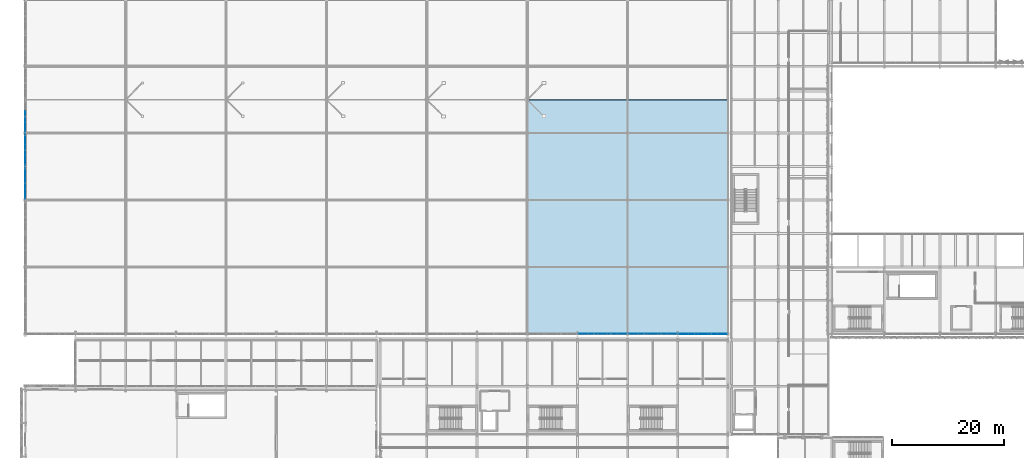
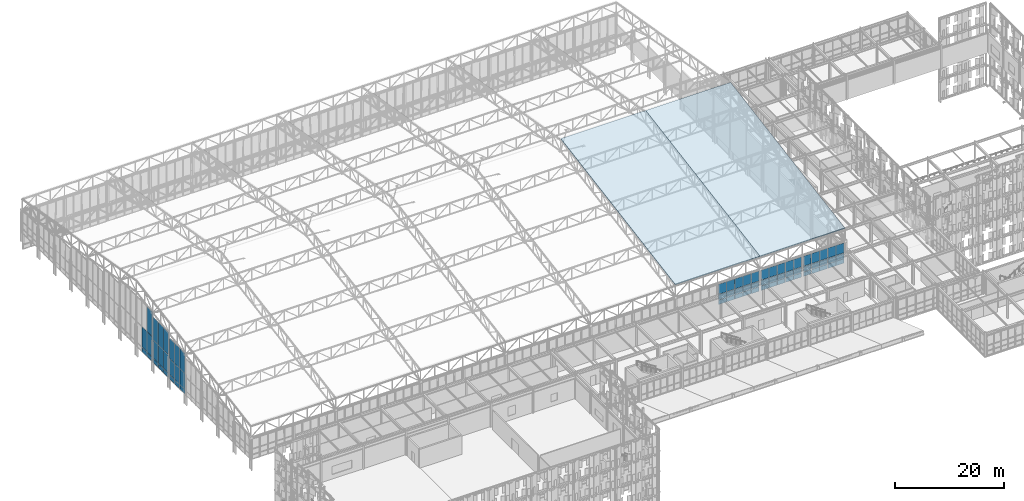
# One storey, part 185 of 239: 68 plates, 2 slabs, 7 elements without a shape of their own.
"""IFC4 building model written with IfcOpenShell, lengths in metres."""

from ifc_helpers import new_model, si_unit, direction, frame, origin, origin_2d, place, context, subcontext, project, spatial, polyline, rectangle, outline, extrude, material, layer, layer_set, type_object, element, aggregate, save


model = new_model("IFC4")

# Units and contexts
model_context = context("Model", 3, precision=1e-05, world=origin(), true_north=direction((0.0, 1.0)))
body_context = subcontext(model_context, "Body", "Model", "MODEL_VIEW")
ifc_project = project(units=[si_unit("LENGTHUNIT", "METRE"), si_unit("AREAUNIT", "SQUARE_METRE"), si_unit("VOLUMEUNIT", "CUBIC_METRE"), si_unit("PLANEANGLEUNIT", "RADIAN"), si_unit("MASSUNIT", "GRAM", prefix="KILO")], contexts=[model_context])

# Site, building, storey
site_placement = place(None, origin())
site = spatial("IfcSite", under=ifc_project, at=site_placement, CompositionType="ELEMENT")
building_placement = place(site_placement, origin())
building = spatial("IfcBuilding", under=site, at=building_placement, Name="Kaldris Quays Convention Centre", CompositionType="ELEMENT")
storey_placement = place(building_placement, frame((0.0, 0.0, 11.39990234375)))
storey = spatial("IfcBuildingStorey", under=building, at=storey_placement, Name="L02", CompositionType="ELEMENT", Elevation=11.39990234375)

# Curtain wall, plates
ifc_material_1 = material(Name="Anodized aluminium AW-6060 and triple glazing", Category="aluminium")
curtain_wall_type = type_object("IfcCurtainWallType", Name="UNITISED CURTAIN WALL CW03", PredefinedType="NOTDEFINED", material=ifc_material_1)
curtain_wall_1_placement = place(storey_placement, origin())
curtain_wall_1 = element("IfcCurtainWall", 1, at=curtain_wall_1_placement, inside=storey, type_object=curtain_wall_type, Name="L02 Unitised Curtain Wall CW03 217", PredefinedType="NOTDEFINED")
ifc_material_2 = material(Name="Triple low-E insulated glazing", Category="glass")
plate_type_1 = type_object("IfcPlateType", Name="CURTAIN GLAZING PANEL CWP1", PredefinedType="CURTAIN_PANEL", material=ifc_material_2)
plate_1_placement = place(storey_placement, frame((20.0, 81.1083984375, 2.255126953125), z_axis=(0.0, 0.0, 1.0), x_axis=(0.0, 1.0, 0.0)))
plate_1 = element("IfcPlate", 2, at=plate_1_placement, type_object=plate_type_1, Name="CW03 panel 1.1", PredefinedType="CURTAIN_PANEL", context=body_context, shape_type="SweptSolid", body=[
    extrude(rectangle(XDim=1.816650390625, YDim=0.029052734375, at=origin_2d()), origin(), (0.0, 0.0, 1.0), 0.9599609375),
])
plate_2_placement = place(storey_placement, frame((20.0, 81.1083984375, 3.27490234375), z_axis=(0.0, 0.0, 1.0), x_axis=(0.0, 1.0, 0.0)))
plate_2 = element("IfcPlate", 3, at=plate_2_placement, type_object=plate_type_1, Name="CW03 panel 1.2", PredefinedType="CURTAIN_PANEL", context=body_context, shape_type="SweptSolid", body=[
    extrude(rectangle(XDim=1.816650390625, YDim=0.029052734375, at=origin_2d()), origin(), (0.0, 0.0, 1.0), 3.531982421875),
])
plate_3_placement = place(storey_placement, frame((20.0, 81.1083984375, 6.8671875), z_axis=(0.0, 0.0, 1.0), x_axis=(0.0, 1.0, 0.0)))
plate_3 = element("IfcPlate", 4, at=plate_3_placement, type_object=plate_type_1, Name="CW03 panel 1.3", PredefinedType="CURTAIN_PANEL", context=body_context, shape_type="SweptSolid", body=[
    extrude(rectangle(XDim=1.816650390625, YDim=0.029052734375, at=origin_2d()), origin(), (0.0, 0.0, 1.0), 4.552001953125),
])
plate_4_placement = place(storey_placement, frame((20.0, 83.0, 2.255126953125), z_axis=(0.0, 0.0, 1.0), x_axis=(0.0, 1.0, 0.0)))
plate_4 = element("IfcPlate", 5, at=plate_4_placement, type_object=plate_type_1, Name="CW03 panel 2.1", PredefinedType="CURTAIN_PANEL", context=body_context, shape_type="SweptSolid", body=[
    extrude(rectangle(XDim=1.8466796875, YDim=0.029052734375, at=origin_2d()), origin(), (0.0, 0.0, 1.0), 0.9599609375),
])
plate_5_placement = place(storey_placement, frame((20.0, 83.0, 3.27490234375), z_axis=(0.0, 0.0, 1.0), x_axis=(0.0, 1.0, 0.0)))
plate_5 = element("IfcPlate", 6, at=plate_5_placement, type_object=plate_type_1, Name="CW03 panel 2.2", PredefinedType="CURTAIN_PANEL", context=body_context, shape_type="SweptSolid", body=[
    extrude(rectangle(XDim=1.8466796875, YDim=0.029052734375, at=origin_2d()), origin(), (0.0, 0.0, 1.0), 3.531982421875),
])
plate_6_placement = place(storey_placement, frame((20.0, 83.0, 6.8671875), z_axis=(0.0, 0.0, 1.0), x_axis=(0.0, 1.0, 0.0)))
plate_6 = element("IfcPlate", 7, at=plate_6_placement, type_object=plate_type_1, Name="CW03 panel 2.3", PredefinedType="CURTAIN_PANEL", context=body_context, shape_type="SweptSolid", body=[
    extrude(rectangle(XDim=1.8466796875, YDim=0.029052734375, at=origin_2d()), origin(), (0.0, 0.0, 1.0), 4.552001953125),
])
plate_7_placement = place(storey_placement, frame((20.0, 84.8916015625, 2.255126953125), z_axis=(0.0, 0.0, 1.0), x_axis=(0.0, 1.0, 0.0)))
plate_7 = element("IfcPlate", 8, at=plate_7_placement, type_object=plate_type_1, Name="CW03 panel 3.1", PredefinedType="CURTAIN_PANEL", context=body_context, shape_type="SweptSolid", body=[
    extrude(rectangle(XDim=1.816650390625, YDim=0.029052734375, at=origin_2d()), origin(), (0.0, 0.0, 1.0), 0.9599609375),
])
plate_8_placement = place(storey_placement, frame((20.0, 84.8916015625, 3.27490234375), z_axis=(0.0, 0.0, 1.0), x_axis=(0.0, 1.0, 0.0)))
plate_8 = element("IfcPlate", 9, at=plate_8_placement, type_object=plate_type_1, Name="CW03 panel 3.2", PredefinedType="CURTAIN_PANEL", context=body_context, shape_type="SweptSolid", body=[
    extrude(rectangle(XDim=1.816650390625, YDim=0.029052734375, at=origin_2d()), origin(), (0.0, 0.0, 1.0), 3.531982421875),
])
plate_9_placement = place(storey_placement, frame((20.0, 84.8916015625, 6.8671875), z_axis=(0.0, 0.0, 1.0), x_axis=(0.0, 1.0, 0.0)))
plate_9 = element("IfcPlate", 10, at=plate_9_placement, type_object=plate_type_1, Name="CW03 panel 3.3", PredefinedType="CURTAIN_PANEL", context=body_context, shape_type="SweptSolid", body=[
    extrude(rectangle(XDim=1.816650390625, YDim=0.029052734375, at=origin_2d()), origin(), (0.0, 0.0, 1.0), 4.552001953125),
])
aggregate(curtain_wall_1, [plate_1, plate_2, plate_3, plate_4, plate_5, plate_6, plate_7, plate_8, plate_9])

curtain_wall_2_placement = place(storey_placement, origin())
curtain_wall_2 = element("IfcCurtainWall", 11, at=curtain_wall_2_placement, inside=storey, type_object=curtain_wall_type, Name="L02 Unitised Curtain Wall CW03 249", PredefinedType="NOTDEFINED")
plate_10_placement = place(storey_placement, frame((120.027099609375, 56.0, 2.255126953125), z_axis=(0.0, 0.0, 1.0), x_axis=(1.0, 0.0, 0.0)))
plate_10 = element("IfcPlate", 12, at=plate_10_placement, type_object=plate_type_1, Name="CW03 panel 1.1", PredefinedType="CURTAIN_PANEL", context=body_context, shape_type="SweptSolid", body=[
    extrude(rectangle(XDim=1.654052734375, YDim=0.029052734375, at=origin_2d()), origin(), (0.0, 0.0, 1.0), 0.9599609375),
])
plate_11_placement = place(storey_placement, frame((120.027099609375, 56.0, 3.27490234375), z_axis=(0.0, 0.0, 1.0), x_axis=(1.0, 0.0, 0.0)))
plate_11 = element("IfcPlate", 13, at=plate_11_placement, type_object=plate_type_1, Name="CW03 panel 1.2", PredefinedType="CURTAIN_PANEL", context=body_context, shape_type="SweptSolid", body=[
    extrude(rectangle(XDim=1.654052734375, YDim=0.029052734375, at=origin_2d()), origin(), (0.0, 0.0, 1.0), 1.217041015625),
])
plate_12_placement = place(storey_placement, frame((120.027099609375, 56.0, 4.55224609375), z_axis=(0.0, 0.0, 1.0), x_axis=(1.0, 0.0, 0.0)))
plate_12 = element("IfcPlate", 14, at=plate_12_placement, type_object=plate_type_1, Name="CW03 panel 1.3", PredefinedType="CURTAIN_PANEL", context=body_context, shape_type="SweptSolid", body=[
    extrude(rectangle(XDim=1.654052734375, YDim=0.029052734375, at=origin_2d()), origin(), (0.0, 0.0, 1.0), 2.238037109375),
])
plate_13_placement = place(storey_placement, frame((121.756103515625, 56.0, 2.255126953125), z_axis=(0.0, 0.0, 1.0), x_axis=(1.0, 0.0, 0.0)))
plate_13 = element("IfcPlate", 15, at=plate_13_placement, type_object=plate_type_1, Name="CW03 panel 2.1", PredefinedType="CURTAIN_PANEL", context=body_context, shape_type="SweptSolid", body=[
    extrude(rectangle(XDim=1.68408203125, YDim=0.029052734375, at=origin_2d()), origin(), (0.0, 0.0, 1.0), 0.9599609375),
])
plate_14_placement = place(storey_placement, frame((121.756103515625, 56.0, 3.27490234375), z_axis=(0.0, 0.0, 1.0), x_axis=(1.0, 0.0, 0.0)))
plate_14 = element("IfcPlate", 16, at=plate_14_placement, type_object=plate_type_1, Name="CW03 panel 2.2", PredefinedType="CURTAIN_PANEL", context=body_context, shape_type="SweptSolid", body=[
    extrude(rectangle(XDim=1.68408203125, YDim=0.029052734375, at=origin_2d()), origin(), (0.0, 0.0, 1.0), 1.217041015625),
])
plate_15_placement = place(storey_placement, frame((121.756103515625, 56.0, 4.55224609375), z_axis=(0.0, 0.0, 1.0), x_axis=(1.0, 0.0, 0.0)))
plate_15 = element("IfcPlate", 17, at=plate_15_placement, type_object=plate_type_1, Name="CW03 panel 2.3", PredefinedType="CURTAIN_PANEL", context=body_context, shape_type="SweptSolid", body=[
    extrude(rectangle(XDim=1.68408203125, YDim=0.029052734375, at=origin_2d()), origin(), (0.0, 0.0, 1.0), 2.238037109375),
])
plate_16_placement = place(storey_placement, frame((123.5, 56.0, 2.255126953125), z_axis=(0.0, 0.0, 1.0), x_axis=(1.0, 0.0, 0.0)))
plate_16 = element("IfcPlate", 18, at=plate_16_placement, type_object=plate_type_1, Name="CW03 panel 3.1", PredefinedType="CURTAIN_PANEL", context=body_context, shape_type="SweptSolid", body=[
    extrude(rectangle(XDim=1.68408203125, YDim=0.029052734375, at=origin_2d()), origin(), (0.0, 0.0, 1.0), 0.9599609375),
])
plate_17_placement = place(storey_placement, frame((123.5, 56.0, 3.27490234375), z_axis=(0.0, 0.0, 1.0), x_axis=(1.0, 0.0, 0.0)))
plate_17 = element("IfcPlate", 19, at=plate_17_placement, type_object=plate_type_1, Name="CW03 panel 3.2", PredefinedType="CURTAIN_PANEL", context=body_context, shape_type="SweptSolid", body=[
    extrude(rectangle(XDim=1.68408203125, YDim=0.029052734375, at=origin_2d()), origin(), (0.0, 0.0, 1.0), 1.217041015625),
])
plate_18_placement = place(storey_placement, frame((123.5, 56.0, 4.55224609375), z_axis=(0.0, 0.0, 1.0), x_axis=(1.0, 0.0, 0.0)))
plate_18 = element("IfcPlate", 20, at=plate_18_placement, type_object=plate_type_1, Name="CW03 panel 3.3", PredefinedType="CURTAIN_PANEL", context=body_context, shape_type="SweptSolid", body=[
    extrude(rectangle(XDim=1.68408203125, YDim=0.029052734375, at=origin_2d()), origin(), (0.0, 0.0, 1.0), 2.238037109375),
])
plate_19_placement = place(storey_placement, frame((125.243896484375, 56.0, 2.255126953125), z_axis=(0.0, 0.0, 1.0), x_axis=(1.0, 0.0, 0.0)))
plate_19 = element("IfcPlate", 21, at=plate_19_placement, type_object=plate_type_1, Name="CW03 panel 4.1", PredefinedType="CURTAIN_PANEL", context=body_context, shape_type="SweptSolid", body=[
    extrude(rectangle(XDim=1.68408203125, YDim=0.029052734375, at=origin_2d()), origin(), (0.0, 0.0, 1.0), 0.9599609375),
])
plate_20_placement = place(storey_placement, frame((125.243896484375, 56.0, 3.27490234375), z_axis=(0.0, 0.0, 1.0), x_axis=(1.0, 0.0, 0.0)))
plate_20 = element("IfcPlate", 22, at=plate_20_placement, type_object=plate_type_1, Name="CW03 panel 4.2", PredefinedType="CURTAIN_PANEL", context=body_context, shape_type="SweptSolid", body=[
    extrude(rectangle(XDim=1.68408203125, YDim=0.029052734375, at=origin_2d()), origin(), (0.0, 0.0, 1.0), 1.217041015625),
])
plate_21_placement = place(storey_placement, frame((125.243896484375, 56.0, 4.55224609375), z_axis=(0.0, 0.0, 1.0), x_axis=(1.0, 0.0, 0.0)))
plate_21 = element("IfcPlate", 23, at=plate_21_placement, type_object=plate_type_1, Name="CW03 panel 4.3", PredefinedType="CURTAIN_PANEL", context=body_context, shape_type="SweptSolid", body=[
    extrude(rectangle(XDim=1.68408203125, YDim=0.029052734375, at=origin_2d()), origin(), (0.0, 0.0, 1.0), 2.238037109375),
])
plate_22_placement = place(storey_placement, frame((126.972900390625, 56.0, 2.255126953125), z_axis=(0.0, 0.0, 1.0), x_axis=(1.0, 0.0, 0.0)))
plate_22 = element("IfcPlate", 24, at=plate_22_placement, type_object=plate_type_1, Name="CW03 panel 5.1", PredefinedType="CURTAIN_PANEL", context=body_context, shape_type="SweptSolid", body=[
    extrude(rectangle(XDim=1.654052734375, YDim=0.029052734375, at=origin_2d()), origin(), (0.0, 0.0, 1.0), 0.9599609375),
])
plate_23_placement = place(storey_placement, frame((126.972900390625, 56.0, 3.27490234375), z_axis=(0.0, 0.0, 1.0), x_axis=(1.0, 0.0, 0.0)))
plate_23 = element("IfcPlate", 25, at=plate_23_placement, type_object=plate_type_1, Name="CW03 panel 5.2", PredefinedType="CURTAIN_PANEL", context=body_context, shape_type="SweptSolid", body=[
    extrude(rectangle(XDim=1.654052734375, YDim=0.029052734375, at=origin_2d()), origin(), (0.0, 0.0, 1.0), 1.217041015625),
])
plate_24_placement = place(storey_placement, frame((126.972900390625, 56.0, 4.55224609375), z_axis=(0.0, 0.0, 1.0), x_axis=(1.0, 0.0, 0.0)))
plate_24 = element("IfcPlate", 26, at=plate_24_placement, type_object=plate_type_1, Name="CW03 panel 5.3", PredefinedType="CURTAIN_PANEL", context=body_context, shape_type="SweptSolid", body=[
    extrude(rectangle(XDim=1.654052734375, YDim=0.029052734375, at=origin_2d()), origin(), (0.0, 0.0, 1.0), 2.238037109375),
])
aggregate(curtain_wall_2, [plate_10, plate_11, plate_12, plate_13, plate_14, plate_15, plate_16, plate_17, plate_18, plate_19, plate_20, plate_21, plate_22, plate_23, plate_24])

curtain_wall_3_placement = place(storey_placement, origin())
curtain_wall_3 = element("IfcCurtainWall", 27, at=curtain_wall_3_placement, inside=storey, type_object=curtain_wall_type, Name="L02 Unitised Curtain Wall CW03 218", PredefinedType="NOTDEFINED")
plate_type_2 = type_object("IfcPlateType", Name="CURTAIN GLAZING PANEL CWP2", PredefinedType="CURTAIN_PANEL", material=ifc_material_2)
plate_25_placement = place(storey_placement, frame((20.0, 87.1083984375, 2.255126953125), z_axis=(0.0, 0.0, 1.0), x_axis=(0.0, 1.0, 0.0)))
plate_25 = element("IfcPlate", 28, at=plate_25_placement, type_object=plate_type_2, Name="CW03 panel 1.1", PredefinedType="CURTAIN_PANEL", context=body_context, shape_type="SweptSolid", body=[
    extrude(rectangle(XDim=1.816650390625, YDim=0.033935546875, at=origin_2d()), origin(), (0.0, 0.0, 1.0), 0.9599609375),
])
plate_26_placement = place(storey_placement, frame((20.0, 87.1083984375, 3.275146484375), z_axis=(0.0, 0.0, 1.0), x_axis=(0.0, 1.0, 0.0)))
plate_26 = element("IfcPlate", 29, at=plate_26_placement, type_object=plate_type_2, Name="CW03 panel 1.2", PredefinedType="CURTAIN_PANEL", context=body_context, shape_type="SweptSolid", body=[
    extrude(rectangle(XDim=1.816650390625, YDim=0.033935546875, at=origin_2d()), origin(), (0.0, 0.0, 1.0), 4.0458984375),
])
plate_27_placement = place(storey_placement, frame((20.0, 87.1083984375, 7.381103515625), z_axis=(0.0, 0.0, 1.0), x_axis=(0.0, 1.0, 0.0)))
plate_27 = element("IfcPlate", 30, at=plate_27_placement, type_object=plate_type_2, Name="CW03 panel 1.3", PredefinedType="CURTAIN_PANEL", context=body_context, shape_type="SweptSolid", body=[
    extrude(rectangle(XDim=1.816650390625, YDim=0.033935546875, at=origin_2d()), origin(), (0.0, 0.0, 1.0), 5.06591796875),
])
plate_28_placement = place(storey_placement, frame((20.0, 89.0, 2.255126953125), z_axis=(0.0, 0.0, 1.0), x_axis=(0.0, 1.0, 0.0)))
plate_28 = element("IfcPlate", 31, at=plate_28_placement, type_object=plate_type_2, Name="CW03 panel 2.1", PredefinedType="CURTAIN_PANEL", context=body_context, shape_type="SweptSolid", body=[
    extrude(rectangle(XDim=1.8466796875, YDim=0.033935546875, at=origin_2d()), origin(), (0.0, 0.0, 1.0), 0.9599609375),
])
plate_29_placement = place(storey_placement, frame((20.0, 89.0, 3.275146484375), z_axis=(0.0, 0.0, 1.0), x_axis=(0.0, 1.0, 0.0)))
plate_29 = element("IfcPlate", 32, at=plate_29_placement, type_object=plate_type_2, Name="CW03 panel 2.2", PredefinedType="CURTAIN_PANEL", context=body_context, shape_type="SweptSolid", body=[
    extrude(rectangle(XDim=1.8466796875, YDim=0.033935546875, at=origin_2d()), origin(), (0.0, 0.0, 1.0), 4.0458984375),
])
plate_30_placement = place(storey_placement, frame((20.0, 89.0, 7.381103515625), z_axis=(0.0, 0.0, 1.0), x_axis=(0.0, 1.0, 0.0)))
plate_30 = element("IfcPlate", 33, at=plate_30_placement, type_object=plate_type_2, Name="CW03 panel 2.3", PredefinedType="CURTAIN_PANEL", context=body_context, shape_type="SweptSolid", body=[
    extrude(rectangle(XDim=1.8466796875, YDim=0.033935546875, at=origin_2d()), origin(), (0.0, 0.0, 1.0), 5.06591796875),
])
plate_31_placement = place(storey_placement, frame((20.0, 90.8916015625, 2.255126953125), z_axis=(0.0, 0.0, 1.0), x_axis=(0.0, 1.0, 0.0)))
plate_31 = element("IfcPlate", 34, at=plate_31_placement, type_object=plate_type_2, Name="CW03 panel 3.1", PredefinedType="CURTAIN_PANEL", context=body_context, shape_type="SweptSolid", body=[
    extrude(rectangle(XDim=1.816650390625, YDim=0.033935546875, at=origin_2d()), origin(), (0.0, 0.0, 1.0), 0.9599609375),
])
plate_32_placement = place(storey_placement, frame((20.0, 90.8916015625, 3.275146484375), z_axis=(0.0, 0.0, 1.0), x_axis=(0.0, 1.0, 0.0)))
plate_32 = element("IfcPlate", 35, at=plate_32_placement, type_object=plate_type_2, Name="CW03 panel 3.2", PredefinedType="CURTAIN_PANEL", context=body_context, shape_type="SweptSolid", body=[
    extrude(rectangle(XDim=1.816650390625, YDim=0.033935546875, at=origin_2d()), origin(), (0.0, 0.0, 1.0), 4.0458984375),
])
plate_33_placement = place(storey_placement, frame((20.0, 90.8916015625, 7.381103515625), z_axis=(0.0, 0.0, 1.0), x_axis=(0.0, 1.0, 0.0)))
plate_33 = element("IfcPlate", 36, at=plate_33_placement, type_object=plate_type_2, Name="CW03 panel 3.3", PredefinedType="CURTAIN_PANEL", context=body_context, shape_type="SweptSolid", body=[
    extrude(rectangle(XDim=1.816650390625, YDim=0.033935546875, at=origin_2d()), origin(), (0.0, 0.0, 1.0), 5.06591796875),
])
aggregate(curtain_wall_3, [plate_25, plate_26, plate_27, plate_28, plate_29, plate_30, plate_31, plate_32, plate_33])

curtain_wall_4_placement = place(storey_placement, origin())
curtain_wall_4 = element("IfcCurtainWall", 37, at=curtain_wall_4_placement, inside=storey, type_object=curtain_wall_type, Name="L02 Unitised Curtain Wall CW03 219", PredefinedType="NOTDEFINED")
plate_type_3 = type_object("IfcPlateType", Name="CURTAIN GLAZING PANEL CWP3", PredefinedType="CURTAIN_PANEL", material=ifc_material_2)
plate_34_placement = place(storey_placement, frame((20.0, 93.1083984375, 2.255126953125), z_axis=(0.0, 0.0, 1.0), x_axis=(0.0, 1.0, 0.0)))
plate_34 = element("IfcPlate", 38, at=plate_34_placement, type_object=plate_type_3, Name="CW03 panel 1.1", PredefinedType="CURTAIN_PANEL", context=body_context, shape_type="SweptSolid", body=[
    extrude(rectangle(XDim=1.816650390625, YDim=0.0390625, at=origin_2d()), origin(), (0.0, 0.0, 1.0), 0.9599609375),
])
plate_35_placement = place(storey_placement, frame((20.0, 93.1083984375, 3.275146484375), z_axis=(0.0, 0.0, 1.0), x_axis=(0.0, 1.0, 0.0)))
plate_35 = element("IfcPlate", 39, at=plate_35_placement, type_object=plate_type_3, Name="CW03 panel 1.2", PredefinedType="CURTAIN_PANEL", context=body_context, shape_type="SweptSolid", body=[
    extrude(rectangle(XDim=1.816650390625, YDim=0.0390625, at=origin_2d()), origin(), (0.0, 0.0, 1.0), 4.56005859375),
])
plate_36_placement = place(storey_placement, frame((20.0, 93.1083984375, 7.89501953125), z_axis=(0.0, 0.0, 1.0), x_axis=(0.0, 1.0, 0.0)))
plate_36 = element("IfcPlate", 40, at=plate_36_placement, type_object=plate_type_3, Name="CW03 panel 1.3", PredefinedType="CURTAIN_PANEL", context=body_context, shape_type="SweptSolid", body=[
    extrude(rectangle(XDim=1.816650390625, YDim=0.0390625, at=origin_2d()), origin(), (0.0, 0.0, 1.0), 5.5810546875),
])
plate_37_placement = place(storey_placement, frame((20.0, 95.0, 2.255126953125), z_axis=(0.0, 0.0, 1.0), x_axis=(0.0, 1.0, 0.0)))
plate_37 = element("IfcPlate", 41, at=plate_37_placement, type_object=plate_type_3, Name="CW03 panel 2.1", PredefinedType="CURTAIN_PANEL", context=body_context, shape_type="SweptSolid", body=[
    extrude(rectangle(XDim=1.8466796875, YDim=0.0390625, at=origin_2d()), origin(), (0.0, 0.0, 1.0), 0.9599609375),
])
plate_38_placement = place(storey_placement, frame((20.0, 95.0, 3.275146484375), z_axis=(0.0, 0.0, 1.0), x_axis=(0.0, 1.0, 0.0)))
plate_38 = element("IfcPlate", 42, at=plate_38_placement, type_object=plate_type_3, Name="CW03 panel 2.2", PredefinedType="CURTAIN_PANEL", context=body_context, shape_type="SweptSolid", body=[
    extrude(rectangle(XDim=1.8466796875, YDim=0.0390625, at=origin_2d()), origin(), (0.0, 0.0, 1.0), 4.56005859375),
])
aggregate(curtain_wall_4, [plate_34, plate_35, plate_36, plate_37, plate_38])

curtain_wall_5_placement = place(storey_placement, origin())
curtain_wall_5 = element("IfcCurtainWall", 43, at=curtain_wall_5_placement, inside=storey, type_object=curtain_wall_type, Name="L02 Unitised Curtain Wall CW03 251", PredefinedType="NOTDEFINED")
plate_39_placement = place(storey_placement, frame((129.027099609375, 56.0, 2.255126953125), z_axis=(0.0, 0.0, 1.0), x_axis=(1.0, 0.0, 0.0)))
plate_39 = element("IfcPlate", 44, at=plate_39_placement, type_object=plate_type_3, Name="CW03 panel 1.1", PredefinedType="CURTAIN_PANEL", context=body_context, shape_type="SweptSolid", body=[
    extrude(rectangle(XDim=1.654052734375, YDim=0.0390625, at=origin_2d()), origin(), (0.0, 0.0, 1.0), 0.9599609375),
])
plate_40_placement = place(storey_placement, frame((129.027099609375, 56.0, 3.27490234375), z_axis=(0.0, 0.0, 1.0), x_axis=(1.0, 0.0, 0.0)))
plate_40 = element("IfcPlate", 45, at=plate_40_placement, type_object=plate_type_3, Name="CW03 panel 1.2", PredefinedType="CURTAIN_PANEL", context=body_context, shape_type="SweptSolid", body=[
    extrude(rectangle(XDim=1.654052734375, YDim=0.0390625, at=origin_2d()), origin(), (0.0, 0.0, 1.0), 1.217041015625),
])
plate_41_placement = place(storey_placement, frame((129.027099609375, 56.0, 4.55224609375), z_axis=(0.0, 0.0, 1.0), x_axis=(1.0, 0.0, 0.0)))
plate_41 = element("IfcPlate", 46, at=plate_41_placement, type_object=plate_type_3, Name="CW03 panel 1.3", PredefinedType="CURTAIN_PANEL", context=body_context, shape_type="SweptSolid", body=[
    extrude(rectangle(XDim=1.654052734375, YDim=0.0390625, at=origin_2d()), origin(), (0.0, 0.0, 1.0), 2.238037109375),
])
plate_42_placement = place(storey_placement, frame((130.756103515625, 56.0, 2.255126953125), z_axis=(0.0, 0.0, 1.0), x_axis=(1.0, 0.0, 0.0)))
plate_42 = element("IfcPlate", 47, at=plate_42_placement, type_object=plate_type_3, Name="CW03 panel 2.1", PredefinedType="CURTAIN_PANEL", context=body_context, shape_type="SweptSolid", body=[
    extrude(rectangle(XDim=1.68408203125, YDim=0.0390625, at=origin_2d()), origin(), (0.0, 0.0, 1.0), 0.9599609375),
])
plate_43_placement = place(storey_placement, frame((130.756103515625, 56.0, 3.27490234375), z_axis=(0.0, 0.0, 1.0), x_axis=(1.0, 0.0, 0.0)))
plate_43 = element("IfcPlate", 48, at=plate_43_placement, type_object=plate_type_3, Name="CW03 panel 2.2", PredefinedType="CURTAIN_PANEL", context=body_context, shape_type="SweptSolid", body=[
    extrude(rectangle(XDim=1.68408203125, YDim=0.0390625, at=origin_2d()), origin(), (0.0, 0.0, 1.0), 1.217041015625),
])
plate_44_placement = place(storey_placement, frame((130.756103515625, 56.0, 4.55224609375), z_axis=(0.0, 0.0, 1.0), x_axis=(1.0, 0.0, 0.0)))
plate_44 = element("IfcPlate", 49, at=plate_44_placement, type_object=plate_type_3, Name="CW03 panel 2.3", PredefinedType="CURTAIN_PANEL", context=body_context, shape_type="SweptSolid", body=[
    extrude(rectangle(XDim=1.68408203125, YDim=0.0390625, at=origin_2d()), origin(), (0.0, 0.0, 1.0), 2.238037109375),
])
plate_45_placement = place(storey_placement, frame((132.5, 56.0, 2.255126953125), z_axis=(0.0, 0.0, 1.0), x_axis=(1.0, 0.0, 0.0)))
plate_45 = element("IfcPlate", 50, at=plate_45_placement, type_object=plate_type_3, Name="CW03 panel 3.1", PredefinedType="CURTAIN_PANEL", context=body_context, shape_type="SweptSolid", body=[
    extrude(rectangle(XDim=1.68408203125, YDim=0.0390625, at=origin_2d()), origin(), (0.0, 0.0, 1.0), 0.9599609375),
])
plate_46_placement = place(storey_placement, frame((132.5, 56.0, 3.27490234375), z_axis=(0.0, 0.0, 1.0), x_axis=(1.0, 0.0, 0.0)))
plate_46 = element("IfcPlate", 51, at=plate_46_placement, type_object=plate_type_3, Name="CW03 panel 3.2", PredefinedType="CURTAIN_PANEL", context=body_context, shape_type="SweptSolid", body=[
    extrude(rectangle(XDim=1.68408203125, YDim=0.0390625, at=origin_2d()), origin(), (0.0, 0.0, 1.0), 1.217041015625),
])
plate_47_placement = place(storey_placement, frame((132.5, 56.0, 4.55224609375), z_axis=(0.0, 0.0, 1.0), x_axis=(1.0, 0.0, 0.0)))
plate_47 = element("IfcPlate", 52, at=plate_47_placement, type_object=plate_type_3, Name="CW03 panel 3.3", PredefinedType="CURTAIN_PANEL", context=body_context, shape_type="SweptSolid", body=[
    extrude(rectangle(XDim=1.68408203125, YDim=0.0390625, at=origin_2d()), origin(), (0.0, 0.0, 1.0), 2.238037109375),
])
plate_48_placement = place(storey_placement, frame((134.243896484375, 56.0, 2.255126953125), z_axis=(0.0, 0.0, 1.0), x_axis=(1.0, 0.0, 0.0)))
plate_48 = element("IfcPlate", 53, at=plate_48_placement, type_object=plate_type_3, Name="CW03 panel 4.1", PredefinedType="CURTAIN_PANEL", context=body_context, shape_type="SweptSolid", body=[
    extrude(rectangle(XDim=1.68408203125, YDim=0.0390625, at=origin_2d()), origin(), (0.0, 0.0, 1.0), 0.9599609375),
])
plate_49_placement = place(storey_placement, frame((134.243896484375, 56.0, 3.27490234375), z_axis=(0.0, 0.0, 1.0), x_axis=(1.0, 0.0, 0.0)))
plate_49 = element("IfcPlate", 54, at=plate_49_placement, type_object=plate_type_3, Name="CW03 panel 4.2", PredefinedType="CURTAIN_PANEL", context=body_context, shape_type="SweptSolid", body=[
    extrude(rectangle(XDim=1.68408203125, YDim=0.0390625, at=origin_2d()), origin(), (0.0, 0.0, 1.0), 1.217041015625),
])
plate_50_placement = place(storey_placement, frame((134.243896484375, 56.0, 4.55224609375), z_axis=(0.0, 0.0, 1.0), x_axis=(1.0, 0.0, 0.0)))
plate_50 = element("IfcPlate", 55, at=plate_50_placement, type_object=plate_type_3, Name="CW03 panel 4.3", PredefinedType="CURTAIN_PANEL", context=body_context, shape_type="SweptSolid", body=[
    extrude(rectangle(XDim=1.68408203125, YDim=0.0390625, at=origin_2d()), origin(), (0.0, 0.0, 1.0), 2.238037109375),
])
plate_51_placement = place(storey_placement, frame((135.972900390625, 56.0, 2.255126953125), z_axis=(0.0, 0.0, 1.0), x_axis=(1.0, 0.0, 0.0)))
plate_51 = element("IfcPlate", 56, at=plate_51_placement, type_object=plate_type_3, Name="CW03 panel 5.1", PredefinedType="CURTAIN_PANEL", context=body_context, shape_type="SweptSolid", body=[
    extrude(rectangle(XDim=1.654052734375, YDim=0.0390625, at=origin_2d()), origin(), (0.0, 0.0, 1.0), 0.9599609375),
])
plate_52_placement = place(storey_placement, frame((135.972900390625, 56.0, 3.27490234375), z_axis=(0.0, 0.0, 1.0), x_axis=(1.0, 0.0, 0.0)))
plate_52 = element("IfcPlate", 57, at=plate_52_placement, type_object=plate_type_3, Name="CW03 panel 5.2", PredefinedType="CURTAIN_PANEL", context=body_context, shape_type="SweptSolid", body=[
    extrude(rectangle(XDim=1.654052734375, YDim=0.0390625, at=origin_2d()), origin(), (0.0, 0.0, 1.0), 1.217041015625),
])
plate_53_placement = place(storey_placement, frame((135.972900390625, 56.0, 4.55224609375), z_axis=(0.0, 0.0, 1.0), x_axis=(1.0, 0.0, 0.0)))
plate_53 = element("IfcPlate", 58, at=plate_53_placement, type_object=plate_type_3, Name="CW03 panel 5.3", PredefinedType="CURTAIN_PANEL", context=body_context, shape_type="SweptSolid", body=[
    extrude(rectangle(XDim=1.654052734375, YDim=0.0390625, at=origin_2d()), origin(), (0.0, 0.0, 1.0), 2.238037109375),
])
aggregate(curtain_wall_5, [plate_39, plate_40, plate_41, plate_42, plate_43, plate_44, plate_45, plate_46, plate_47, plate_48, plate_49, plate_50, plate_51, plate_52, plate_53])

curtain_wall_6_placement = place(storey_placement, origin())
curtain_wall_6 = element("IfcCurtainWall", 59, at=curtain_wall_6_placement, inside=storey, type_object=curtain_wall_type, Name="L02 Unitised Curtain Wall CW03 253", PredefinedType="NOTDEFINED")
plate_type_4 = type_object("IfcPlateType", Name="CURTAIN GLAZING PANEL CWP5", PredefinedType="CURTAIN_PANEL", material=ifc_material_2)
plate_54_placement = place(storey_placement, frame((138.027099609375, 56.0, 2.255126953125), z_axis=(0.0, 0.0, 1.0), x_axis=(1.0, 0.0, 0.0)))
plate_54 = element("IfcPlate", 60, at=plate_54_placement, type_object=plate_type_4, Name="CW03 panel 1.1", PredefinedType="CURTAIN_PANEL", context=body_context, shape_type="SweptSolid", body=[
    extrude(rectangle(XDim=1.654052734375, YDim=0.049072265625, at=origin_2d()), origin(), (0.0, 0.0, 1.0), 0.9599609375),
])
plate_55_placement = place(storey_placement, frame((138.027099609375, 56.0, 3.27490234375), z_axis=(0.0, 0.0, 1.0), x_axis=(1.0, 0.0, 0.0)))
plate_55 = element("IfcPlate", 61, at=plate_55_placement, type_object=plate_type_4, Name="CW03 panel 1.2", PredefinedType="CURTAIN_PANEL", context=body_context, shape_type="SweptSolid", body=[
    extrude(rectangle(XDim=1.654052734375, YDim=0.049072265625, at=origin_2d()), origin(), (0.0, 0.0, 1.0), 1.217041015625),
])
plate_56_placement = place(storey_placement, frame((138.027099609375, 56.0, 4.55224609375), z_axis=(0.0, 0.0, 1.0), x_axis=(1.0, 0.0, 0.0)))
plate_56 = element("IfcPlate", 62, at=plate_56_placement, type_object=plate_type_4, Name="CW03 panel 1.3", PredefinedType="CURTAIN_PANEL", context=body_context, shape_type="SweptSolid", body=[
    extrude(rectangle(XDim=1.654052734375, YDim=0.049072265625, at=origin_2d()), origin(), (0.0, 0.0, 1.0), 2.238037109375),
])
plate_57_placement = place(storey_placement, frame((139.756103515625, 56.0, 2.255126953125), z_axis=(0.0, 0.0, 1.0), x_axis=(1.0, 0.0, 0.0)))
plate_57 = element("IfcPlate", 63, at=plate_57_placement, type_object=plate_type_4, Name="CW03 panel 2.1", PredefinedType="CURTAIN_PANEL", context=body_context, shape_type="SweptSolid", body=[
    extrude(rectangle(XDim=1.68408203125, YDim=0.049072265625, at=origin_2d()), origin(), (0.0, 0.0, 1.0), 0.9599609375),
])
plate_58_placement = place(storey_placement, frame((139.756103515625, 56.0, 3.27490234375), z_axis=(0.0, 0.0, 1.0), x_axis=(1.0, 0.0, 0.0)))
plate_58 = element("IfcPlate", 64, at=plate_58_placement, type_object=plate_type_4, Name="CW03 panel 2.2", PredefinedType="CURTAIN_PANEL", context=body_context, shape_type="SweptSolid", body=[
    extrude(rectangle(XDim=1.68408203125, YDim=0.049072265625, at=origin_2d()), origin(), (0.0, 0.0, 1.0), 1.217041015625),
])
plate_59_placement = place(storey_placement, frame((139.756103515625, 56.0, 4.55224609375), z_axis=(0.0, 0.0, 1.0), x_axis=(1.0, 0.0, 0.0)))
plate_59 = element("IfcPlate", 65, at=plate_59_placement, type_object=plate_type_4, Name="CW03 panel 2.3", PredefinedType="CURTAIN_PANEL", context=body_context, shape_type="SweptSolid", body=[
    extrude(rectangle(XDim=1.68408203125, YDim=0.049072265625, at=origin_2d()), origin(), (0.0, 0.0, 1.0), 2.238037109375),
])
plate_60_placement = place(storey_placement, frame((141.5, 56.0, 2.255126953125), z_axis=(0.0, 0.0, 1.0), x_axis=(1.0, 0.0, 0.0)))
plate_60 = element("IfcPlate", 66, at=plate_60_placement, type_object=plate_type_4, Name="CW03 panel 3.1", PredefinedType="CURTAIN_PANEL", context=body_context, shape_type="SweptSolid", body=[
    extrude(rectangle(XDim=1.68408203125, YDim=0.049072265625, at=origin_2d()), origin(), (0.0, 0.0, 1.0), 0.9599609375),
])
plate_61_placement = place(storey_placement, frame((141.5, 56.0, 3.27490234375), z_axis=(0.0, 0.0, 1.0), x_axis=(1.0, 0.0, 0.0)))
plate_61 = element("IfcPlate", 67, at=plate_61_placement, type_object=plate_type_4, Name="CW03 panel 3.2", PredefinedType="CURTAIN_PANEL", context=body_context, shape_type="SweptSolid", body=[
    extrude(rectangle(XDim=1.68408203125, YDim=0.049072265625, at=origin_2d()), origin(), (0.0, 0.0, 1.0), 1.217041015625),
])
plate_62_placement = place(storey_placement, frame((141.5, 56.0, 4.55224609375), z_axis=(0.0, 0.0, 1.0), x_axis=(1.0, 0.0, 0.0)))
plate_62 = element("IfcPlate", 68, at=plate_62_placement, type_object=plate_type_4, Name="CW03 panel 3.3", PredefinedType="CURTAIN_PANEL", context=body_context, shape_type="SweptSolid", body=[
    extrude(rectangle(XDim=1.68408203125, YDim=0.049072265625, at=origin_2d()), origin(), (0.0, 0.0, 1.0), 2.238037109375),
])
plate_63_placement = place(storey_placement, frame((143.243896484375, 56.0, 2.255126953125), z_axis=(0.0, 0.0, 1.0), x_axis=(1.0, 0.0, 0.0)))
plate_63 = element("IfcPlate", 69, at=plate_63_placement, type_object=plate_type_4, Name="CW03 panel 4.1", PredefinedType="CURTAIN_PANEL", context=body_context, shape_type="SweptSolid", body=[
    extrude(rectangle(XDim=1.68408203125, YDim=0.049072265625, at=origin_2d()), origin(), (0.0, 0.0, 1.0), 0.9599609375),
])
plate_64_placement = place(storey_placement, frame((143.243896484375, 56.0, 3.27490234375), z_axis=(0.0, 0.0, 1.0), x_axis=(1.0, 0.0, 0.0)))
plate_64 = element("IfcPlate", 70, at=plate_64_placement, type_object=plate_type_4, Name="CW03 panel 4.2", PredefinedType="CURTAIN_PANEL", context=body_context, shape_type="SweptSolid", body=[
    extrude(rectangle(XDim=1.68408203125, YDim=0.049072265625, at=origin_2d()), origin(), (0.0, 0.0, 1.0), 1.217041015625),
])
plate_65_placement = place(storey_placement, frame((143.243896484375, 56.0, 4.55224609375), z_axis=(0.0, 0.0, 1.0), x_axis=(1.0, 0.0, 0.0)))
plate_65 = element("IfcPlate", 71, at=plate_65_placement, type_object=plate_type_4, Name="CW03 panel 4.3", PredefinedType="CURTAIN_PANEL", context=body_context, shape_type="SweptSolid", body=[
    extrude(rectangle(XDim=1.68408203125, YDim=0.049072265625, at=origin_2d()), origin(), (0.0, 0.0, 1.0), 2.238037109375),
])
plate_66_placement = place(storey_placement, frame((144.972900390625, 56.0, 2.255126953125), z_axis=(0.0, 0.0, 1.0), x_axis=(1.0, 0.0, 0.0)))
plate_66 = element("IfcPlate", 72, at=plate_66_placement, type_object=plate_type_4, Name="CW03 panel 5.1", PredefinedType="CURTAIN_PANEL", context=body_context, shape_type="SweptSolid", body=[
    extrude(rectangle(XDim=1.654052734375, YDim=0.049072265625, at=origin_2d()), origin(), (0.0, 0.0, 1.0), 0.9599609375),
])
plate_67_placement = place(storey_placement, frame((144.972900390625, 56.0, 3.27490234375), z_axis=(0.0, 0.0, 1.0), x_axis=(1.0, 0.0, 0.0)))
plate_67 = element("IfcPlate", 73, at=plate_67_placement, type_object=plate_type_4, Name="CW03 panel 5.2", PredefinedType="CURTAIN_PANEL", context=body_context, shape_type="SweptSolid", body=[
    extrude(rectangle(XDim=1.654052734375, YDim=0.049072265625, at=origin_2d()), origin(), (0.0, 0.0, 1.0), 1.217041015625),
])
plate_68_placement = place(storey_placement, frame((144.972900390625, 56.0, 4.55224609375), z_axis=(0.0, 0.0, 1.0), x_axis=(1.0, 0.0, 0.0)))
plate_68 = element("IfcPlate", 74, at=plate_68_placement, type_object=plate_type_4, Name="CW03 panel 5.3", PredefinedType="CURTAIN_PANEL", context=body_context, shape_type="SweptSolid", body=[
    extrude(rectangle(XDim=1.654052734375, YDim=0.049072265625, at=origin_2d()), origin(), (0.0, 0.0, 1.0), 2.238037109375),
])
aggregate(curtain_wall_6, [plate_54, plate_55, plate_56, plate_57, plate_58, plate_59, plate_60, plate_61, plate_62, plate_63, plate_64, plate_65, plate_66, plate_67, plate_68])

# Roof, slabs
ifc_material_3 = material(Name="Steel S355J2", Category="steel")
ifc_layer_1 = layer(ifc_material_3, 0.175048828125)
ifc_layer_set_1 = layer_set([ifc_layer_1], Name="Steel S355J2")
roof_type = type_object("IfcRoofType", Name="SPACE FRAME GABLE ROOF RF01", PredefinedType="GABLE_ROOF", material=ifc_layer_set_1)
roof_placement = place(storey_placement, origin())
roof = element("IfcRoof", 75, at=roof_placement, inside=storey, type_object=roof_type, Name="Space-Frame Roof ROOF-V1-SF", PredefinedType="GABLE_ROOF")
ifc_layer_2 = layer(ifc_material_3, 0.175048828125)
ifc_layer_set_2 = layer_set([ifc_layer_2], Name="Steel S355J2")
slab_type = type_object("IfcSlabType", Name="STRUCTURAL SLAB RS02", PredefinedType="ROOF", material=ifc_layer_set_2)
slab_1_placement = place(storey_placement, frame((110.0, 56.0, 10.0498046875), z_axis=(0.0, -0.168959837226, 0.985622936728), x_axis=(1.0, 0.0, 0.0)))
slab_1 = element("IfcSlab", 76, at=slab_1_placement, type_object=slab_type, Name="SF-V1 Pitched Roof Deck 1.6", PredefinedType="ROOF", context=body_context, shape_type="SweptSolid", body=[
    extrude(outline(polyline([(0.0, 0.0), (18.0, 0.0), (18.0, 42.587379100153214), (0.0, 42.587379100153214), (0.0, 0.0)])), origin(), (0.0, 0.0, -1.0), 0.175048828125),
])
slab_2_placement = place(storey_placement, frame((128.0, 56.0, 10.0498046875), z_axis=(0.0, -0.168959837226, 0.985622936728), x_axis=(1.0, 0.0, 0.0)))
slab_2 = element("IfcSlab", 77, at=slab_2_placement, type_object=slab_type, Name="SF-V1 Pitched Roof Deck 1.7", PredefinedType="ROOF", context=body_context, shape_type="SweptSolid", body=[
    extrude(outline(polyline([(0.0, 0.0), (18.0, 0.0), (18.0, 42.587379100153214), (0.0, 42.587379100153214), (0.0, 0.0)])), origin(), (0.0, 0.0, -1.0), 0.175048828125),
])
aggregate(roof, [slab_1, slab_2])

save(model, "model.ifc")
